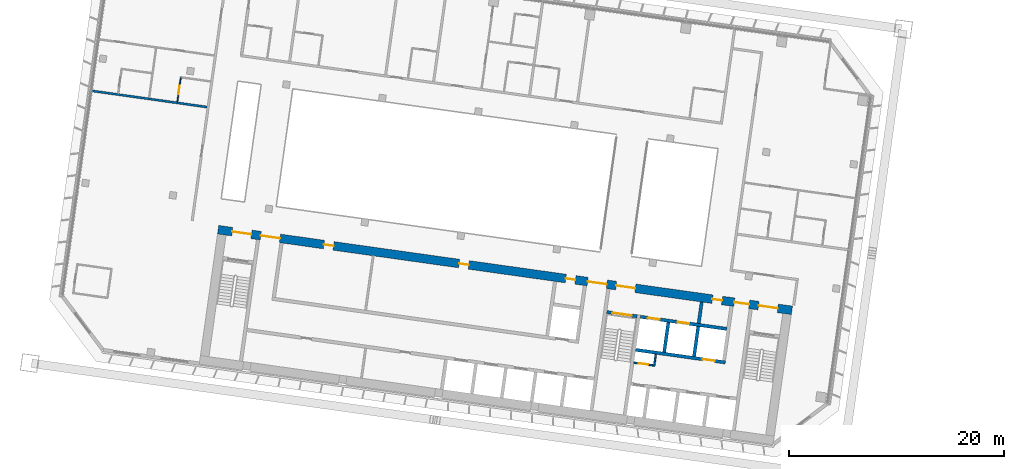
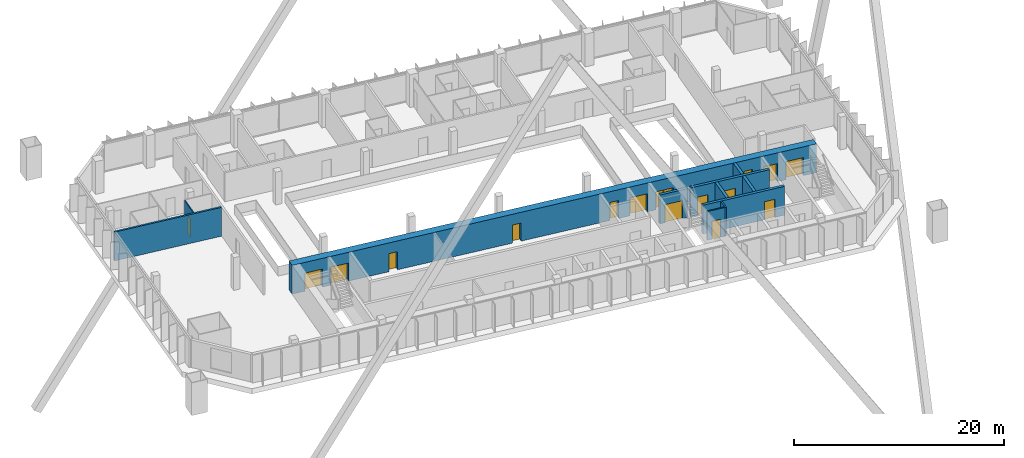
# One storey, part 31 of 41: 16 doors, 11 walls, 16 openings.
"""IFC4 building model written with IfcOpenShell, lengths in metres."""

import ifcopenshell
import ifcopenshell.guid

model = None  # the IFC model being written
_history = None  # IfcOwnerHistory: only IFC2X3 demands one
_inside = {}  # id of a spatial element -> (the spatial element, [elements in it])
_under = {}  # id of a project, library or spatial element -> (it, [spatial elements below it])
_declared = {}  # id of a project -> (the project, [libraries it declares])
_typed = {}  # id of a type object -> (the type object, [elements of that type])
_made_of = {}  # id of a material, layer set ... -> (it, [elements and type objects made of it])


def new_model(schema):
    """Start an empty IFC model of exactly this schema.

    Asked for "IFC4X3", IfcOpenShell would pick the latest addendum, in which some entities
    have other attributes; the version numbers below select the first issue.
    IFC2X3 requires an IfcOwnerHistory on every rooted entity: one is made here for all.
    """
    global model, _history
    if schema == "IFC4X3":
        model = ifcopenshell.file(schema_version=(4, 3, 0, 0))
    else:
        model = ifcopenshell.file(schema=schema)
    _inside.clear()
    _under.clear()
    _declared.clear()
    _typed.clear()
    _made_of.clear()
    _history = None
    if model.schema == "IFC2X3":
        org = make("IfcOrganization", Name="unknown")
        user = make(
            "IfcPersonAndOrganization",
            ThePerson=make("IfcPerson", FamilyName="unknown"),
            TheOrganization=org,
        )
        app = make(
            "IfcApplication",
            ApplicationDeveloper=org,
            Version="unknown",
            ApplicationFullName="unknown",
            ApplicationIdentifier="unknown",
        )
        _history = make(
            "IfcOwnerHistory",
            OwningUser=user,
            OwningApplication=app,
            ChangeAction="ADDED",
            CreationDate=0,
        )
    return model


def make(cls, **values):
    """One entity of the class cls with the attributes given. An attribute that is None is left unset."""
    return model.create_entity(
        cls, **{name: value for name, value in values.items() if value is not None}
    )


def rooted(cls, **values):
    """An entity with a GlobalId (a new one), such as an element, a storey or a relation."""
    return make(cls, GlobalId=ifcopenshell.guid.new(), OwnerHistory=_history, **values)


def si_unit(unit_type, name, prefix=None):
    """IfcSIUnit, for example si_unit("LENGTHUNIT", "METRE", prefix="MILLI")."""
    return make("IfcSIUnit", UnitType=unit_type, Prefix=prefix, Name=name)


def assignment(units):
    """IfcUnitAssignment: the units of a project."""
    return None if units is None else make("IfcUnitAssignment", Units=units)


def point(xyz):
    """IfcCartesianPoint."""
    return None if xyz is None else make("IfcCartesianPoint", Coordinates=xyz)


def direction(xyz):
    """IfcDirection."""
    return None if xyz is None else make("IfcDirection", DirectionRatios=xyz)


def frame(location, z_axis=None, x_axis=None):
    """IfcAxis2Placement3D, a coordinate frame: its origin and axes. An axis left out is left unset."""
    return make(
        "IfcAxis2Placement3D",
        Location=point(location),
        Axis=direction(z_axis),
        RefDirection=direction(x_axis),
    )


def frame_2d(location, x_axis=None):
    """IfcAxis2Placement2D, a coordinate frame in the plane: its origin and x axis."""
    return make(
        "IfcAxis2Placement2D", Location=point(location), RefDirection=direction(x_axis)
    )


def origin():
    """The frame at (0, 0, 0) with its axes left unset."""
    return frame((0.0, 0.0, 0.0))


def place(relative_to, where):
    """IfcLocalPlacement: puts the frame where relative to a parent placement (None: the world)."""
    return make(
        "IfcLocalPlacement", PlacementRelTo=relative_to, RelativePlacement=where
    )


def context(
    kind, dimensions, precision=None, world=None, true_north=None, identifier=None
):
    """IfcGeometricRepresentationContext, for example the 3D "Model" context."""
    return make(
        "IfcGeometricRepresentationContext",
        ContextIdentifier=identifier,
        ContextType=kind,
        CoordinateSpaceDimension=dimensions,
        Precision=precision,
        WorldCoordinateSystem=world,
        TrueNorth=true_north,
    )


def subcontext(parent, identifier, kind, view, scale=None):
    """IfcGeometricRepresentationSubContext, for example "Body" below "Model"."""
    return make(
        "IfcGeometricRepresentationSubContext",
        ContextIdentifier=identifier,
        ContextType=kind,
        ParentContext=parent,
        TargetScale=scale,
        TargetView=view,
    )


def project(units=None, contexts=None):
    """IfcProject with its units and contexts."""
    return rooted(
        "IfcProject",
        Name="project",
        RepresentationContexts=contexts,
        UnitsInContext=assignment(units),
    )


def spatial(cls, under=None, at=None, **own):
    """A site, building, storey or space (cls), placed at a placement, below another one or the project."""
    s = rooted(cls, ObjectPlacement=at, **own)
    if under is not None:
        _under.setdefault(under.id(), (under, []))[1].append(s)
    return s


def profile(cls, at=None, kind="AREA", **sizes):
    """A parametric profile (cls). Its sizes go by their IFC names, for example OverallWidth=200.0."""
    return make(cls, ProfileType=kind, Position=at, **sizes)


def rectangle(**sizes):
    """IfcRectangleProfileDef."""
    return profile("IfcRectangleProfileDef", **sizes)


def extrude(swept, where, along, depth):
    """IfcExtrudedAreaSolid: the profile swept, set in the frame where, extruded along a direction by depth."""
    return make(
        "IfcExtrudedAreaSolid",
        SweptArea=swept,
        Position=where,
        ExtrudedDirection=direction(along),
        Depth=depth,
    )


def shape(context_of_items, identifier, shape_type, items):
    """IfcShapeRepresentation: the items that make up one representation, for example the "Body"."""
    return make(
        "IfcShapeRepresentation",
        ContextOfItems=context_of_items,
        RepresentationIdentifier=identifier,
        RepresentationType=shape_type,
        Items=items,
    )


def material(Name=None, Category=None):
    """IfcMaterial."""
    return make("IfcMaterial", Name=Name, Category=Category)


def layer(
    of_material, thickness, ventilated=None, Name=None, Category=None, Priority=None
):
    """IfcMaterialLayer: one layer of a wall or slab, of a material (None: an air gap)."""
    return make(
        "IfcMaterialLayer",
        Material=of_material,
        LayerThickness=thickness,
        IsVentilated=ventilated,
        Name=Name,
        Category=Category,
        Priority=Priority,
    )


def layer_set(layers, Name=None):
    """IfcMaterialLayerSet."""
    return make("IfcMaterialLayerSet", MaterialLayers=layers, LayerSetName=Name)


def made_of(thing, what):
    """Note that an element or type object is made of a material, layer set ...; save() writes the relation."""
    if what is not None:
        _made_of.setdefault(what.id(), (what, []))[1].append(thing)
    return thing


def type_object(cls, material=None, **own):
    """A type object (cls), such as IfcWallType, which elements share."""
    return made_of(rooted(cls, **own), material)


def element(
    cls,
    number,
    at=None,
    inside=None,
    cuts=None,
    type_object=None,
    material=None,
    context=None,
    identifier="Body",
    shape_type=None,
    held_by="IfcProductDefinitionShape",
    body=None,
    shapes=None,
    **own,
):
    """One element of the class cls, such as IfcWall. Its Tag is "e" and its number.

    at: its placement. inside: the storey or other place that contains it. cuts: it is an
    opening in that element (IfcRelVoidsElement). A single representation is given by context,
    identifier, shape_type and body (its items); several are given by shapes. held_by: the class
    of the entity that holds the representations. save() writes the other relations.
    """
    e = rooted(cls, Tag="e%d" % number, ObjectPlacement=at, **own)
    if body is not None:
        shapes = [shape(context, identifier, shape_type, body)]
    if shapes is not None:
        e.Representation = make(held_by, Representations=shapes)
    if inside is not None:
        _inside.setdefault(inside.id(), (inside, []))[1].append(e)
    if cuts is not None:
        rooted(
            "IfcRelVoidsElement", RelatingBuildingElement=cuts, RelatedOpeningElement=e
        )
    if type_object is not None:
        _typed.setdefault(type_object.id(), (type_object, []))[1].append(e)
    return made_of(e, material)


def fill(opening, filler):
    """IfcRelFillsElement: the door or window that sits in an opening."""
    return rooted(
        "IfcRelFillsElement",
        RelatingOpeningElement=opening,
        RelatedBuildingElement=filler,
    )


def aggregate(whole, parts):
    """IfcRelAggregates: a whole, such as a stair, and the parts it consists of."""
    return rooted("IfcRelAggregates", RelatingObject=whole, RelatedObjects=parts)


def save(model, path):
    """Write the relations noted so far, then the file.

    IfcRelAggregates (storeys below a building ...), IfcRelContainedInSpatialStructure (elements
    in a storey), IfcRelDefinesByType, IfcRelAssociatesMaterial and IfcRelDeclares: one each for
    every whole, place, type object, material and project.
    """
    for whole, parts in _under.values():
        aggregate(whole, parts)
    for where, things in _inside.values():
        rooted(
            "IfcRelContainedInSpatialStructure",
            RelatedElements=things,
            RelatingStructure=where,
        )
    for kind, things in _typed.values():
        rooted("IfcRelDefinesByType", RelatedObjects=things, RelatingType=kind)
    for what, things in _made_of.values():
        rooted("IfcRelAssociatesMaterial", RelatedObjects=things, RelatingMaterial=what)
    for by, libraries in _declared.values():
        rooted("IfcRelDeclares", RelatingContext=by, RelatedDefinitions=libraries)
    model.write(path)


model = new_model("IFC4")

# Units and contexts
model_context = context("Model", 3, precision=1e-05, world=origin(), true_north=direction((0.0, 1.0)))
body_context = subcontext(model_context, "Body", "Model", "MODEL_VIEW")
ifc_project = project(units=[si_unit("LENGTHUNIT", "METRE"), si_unit("AREAUNIT", "SQUARE_METRE"), si_unit("VOLUMEUNIT", "CUBIC_METRE"), si_unit("PLANEANGLEUNIT", "RADIAN"), si_unit("MASSUNIT", "GRAM", prefix="KILO")], contexts=[model_context])

# Site, building, storey
site_placement = place(None, origin())
site = spatial("IfcSite", under=ifc_project, at=site_placement, CompositionType="ELEMENT")
building_placement = place(site_placement, origin())
building = spatial("IfcBuilding", under=site, at=building_placement, Name="Mirante Cascada Hotel Towers", CompositionType="ELEMENT")
storey_placement = place(building_placement, frame((0.0, 0.0, 125.3)))
storey = spatial("IfcBuildingStorey", under=building, at=storey_placement, Name="L28", CompositionType="ELEMENT", Elevation=125.3)

# Walls
ifc_material_1 = material(Name="Fire-rated plasterboard on metal studs")
ifc_layer_1 = layer(ifc_material_1, 0.2)
ifc_layer_set_1 = layer_set([ifc_layer_1], Name="Compartment wall 200 EI 120")
wall_type_1 = type_object("IfcWallType", Name="Compartment wall 200 EI 120", PredefinedType="PARTITIONING", material=ifc_layer_set_1)
wall_1_placement = place(storey_placement, frame((-100.6266, 12.8067, 0.0), z_axis=(0.0, 0.0, 1.0), x_axis=(0.990268, -0.1391733, 0.0)))
element("IfcWall", 1, at=wall_1_placement, inside=storey, type_object=wall_type_1, Name="Wall 1-L28-08", PredefinedType="PARTITIONING", context=body_context, shape_type="SweptSolid", body=[
    extrude(rectangle(XDim=11.0, YDim=0.2, at=frame_2d((5.5, 0.0))), origin(), (0.0, 0.0, 1.0), 3.35),
])
ifc_material_2 = material(Name="Masonry block", Category="masonry")
ifc_layer_2 = layer(ifc_material_2, 0.15)
ifc_layer_set_2 = layer_set([ifc_layer_2], Name="Core room partition 150 block EI 30")
wall_type_2 = type_object("IfcWallType", Name="Core room partition 150 block EI 30", PredefinedType="PARTITIONING", material=ifc_layer_set_2)
wall_2_placement = place(storey_placement, frame((-48.2295, -12.793, 0.0), z_axis=(0.0, 0.0, 1.0), x_axis=(0.1391935, 0.9902652, 0.0)))
element("IfcWall", 2, at=wall_2_placement, inside=storey, type_object=wall_type_2, Name="Core wall partition T1 L28 2", PredefinedType="PARTITIONING", context=body_context, shape_type="SweptSolid", body=[
    extrude(rectangle(XDim=1.1251, YDim=0.15, at=frame_2d((0.5626, 0.0))), origin(), (0.0, 0.0, 1.0), 3.35),
])

# Wall, opening, door
wall_3_placement = place(storey_placement, frame((-48.2933, -12.7083, 0.0), z_axis=(0.0, 0.0, 1.0), x_axis=(-0.990268, 0.1391734, 0.0)))
wall_3 = element("IfcWall", 3, at=wall_3_placement, inside=storey, type_object=wall_type_2, Name="Core wall partition T1 L28 3", PredefinedType="PARTITIONING", context=body_context, shape_type="SweptSolid", body=[
    extrude(rectangle(XDim=1.8251, YDim=0.15, at=frame_2d((0.9126, 0.0))), origin(), (0.0, 0.0, 1.0), 3.35),
])
opening_1_placement = place(wall_3_placement, frame((0.4625, 0.0, 0.0)))
opening_1 = element("IfcOpeningElement", 4, at=opening_1_placement, cuts=wall_3, Name="Opening D1-28-C23", PredefinedType="OPENING", context=body_context, shape_type="SweptSolid", body=[
    extrude(rectangle(XDim=0.9, YDim=2.1, at=frame_2d((0.45, 1.05))), frame((0.0, 0.075, 0.0), z_axis=(0.0, -1.0, 0.0), x_axis=(1.0, 0.0, 0.0)), (0.0, 0.0, 1.0), 0.15),
])
ifc_material_3 = material(Name="Hollow metal fire door leaf")
door_type_1 = type_object("IfcDoorType", Name="Fire door 900x2100 FD60", OperationType="NOTDEFINED", PredefinedType="DOOR", material=ifc_material_3)
door_1_placement = place(opening_1_placement, origin())
door_1 = element("IfcDoor", 5, at=door_1_placement, inside=storey, type_object=door_type_1, Name="Riser door T1 L28 23", OperationType="SINGLE_SWING_LEFT", OverallHeight=2.1, OverallWidth=0.9, PredefinedType="DOOR", context=body_context, shape_type="SweptSolid", body=[
    extrude(rectangle(XDim=0.9, YDim=2.1, at=frame_2d((0.45, 1.05))), frame((0.0, 0.025, 0.0), z_axis=(0.0, -1.0, 0.0), x_axis=(1.0, 0.0, 0.0)), (0.0, 0.0, 1.0), 0.05),
])
fill(opening_1, door_1)

# Wall
ifc_material_4 = material(Name="Masonry block", Category="masonry")
ifc_layer_3 = layer(ifc_material_4, 0.3)
ifc_layer_set_3 = layer_set([ifc_layer_3], Name="Core wall 300 block EI 120")
wall_type_3 = type_object("IfcWallType", Name="Core wall 300 block EI 120", PredefinedType="PARTITIONING", material=ifc_layer_set_3)
wall_4_placement = place(storey_placement, frame((-44.0843, -8.8061, 0.0), z_axis=(0.0, 0.0, 1.0), x_axis=(0.1391951, 0.990265, 0.0)))
element("IfcWall", 6, at=wall_4_placement, inside=storey, type_object=wall_type_3, Name="Core wall partition T1 L28 1", PredefinedType="PARTITIONING", context=body_context, shape_type="SweptSolid", body=[
    extrude(rectangle(XDim=2.0001, YDim=0.3, at=frame_2d((1.0001, 0.0))), origin(), (0.0, 0.0, 1.0), 3.35),
])

# Wall, opening, door
ifc_material_5 = material(Name="Plasterboard on metal studs")
ifc_layer_4 = layer(ifc_material_5, 0.1)
ifc_layer_set_4 = layer_set([ifc_layer_4], Name="Partition 100")
wall_type_4 = type_object("IfcWallType", Name="Partition 100", PredefinedType="PARTITIONING", material=ifc_layer_set_4)
wall_5_placement = place(storey_placement, frame((-92.4925, 11.7645, 0.0), z_axis=(0.0, 0.0, 1.0), x_axis=(0.1391561, 0.9902705, 0.0)))
wall_5 = element("IfcWall", 7, at=wall_5_placement, inside=storey, type_object=wall_type_4, Name="Wall 1-L28-45", PredefinedType="PARTITIONING", context=body_context, shape_type="SweptSolid", body=[
    extrude(rectangle(XDim=2.25, YDim=0.1, at=frame_2d((1.125, 0.0))), origin(), (0.0, 0.0, 1.0), 3.35),
])
opening_2_placement = place(wall_5_placement, frame((0.7, 0.0, 0.0)))
opening_2 = element("IfcOpeningElement", 8, at=opening_2_placement, cuts=wall_5, Name="Opening D1-L28-27", PredefinedType="OPENING", context=body_context, shape_type="SweptSolid", body=[
    extrude(rectangle(XDim=0.8, YDim=2.1, at=frame_2d((0.4, 1.05))), frame((0.0, 0.05, 0.0), z_axis=(0.0, -1.0, 0.0), x_axis=(1.0, 0.0, 0.0)), (0.0, 0.0, 1.0), 0.1),
])
ifc_material_6 = material(Name="Timber door leaf", Category="wood")
door_type_2 = type_object("IfcDoorType", Name="Bathroom door DG4 800x2100", OperationType="SINGLE_SWING_LEFT", PredefinedType="DOOR", material=ifc_material_6)
door_2_placement = place(opening_2_placement, frame((0.8, 0.0, 0.0), z_axis=(0.0, 0.0, 1.0), x_axis=(-1.0, 0.0, 0.0)))
door_2 = element("IfcDoor", 9, at=door_2_placement, inside=storey, type_object=door_type_2, Name="Door D1-L28-27", OperationType="SINGLE_SWING_RIGHT", OverallHeight=2.1, OverallWidth=0.8, PredefinedType="DOOR", context=body_context, shape_type="SweptSolid", body=[
    extrude(rectangle(XDim=0.8, YDim=2.1, at=frame_2d((0.4, 1.05))), frame((0.0, 0.025, 0.0), z_axis=(0.0, -1.0, 0.0), x_axis=(1.0, 0.0, 0.0)), (0.0, 0.0, 1.0), 0.05),
])
fill(opening_2, door_2)

ifc_material_7 = material(Name="Concrete C50/60", Category="concrete")
ifc_layer_5 = layer(ifc_material_7, 0.3)
ifc_layer_set_5 = layer_set([ifc_layer_5], Name="RC core wall 300 C50/60")
wall_type_5 = type_object("IfcWallType", Name="RC core wall 300 C50/60", PredefinedType="SHEAR", material=ifc_layer_set_5)
wall_6_placement = place(storey_placement, frame((-49.7992, -8.1544, 0.0), z_axis=(0.0, 0.0, 1.0), x_axis=(-0.9902656, 0.1391909, 0.0)))
wall_6 = element("IfcWall", 10, at=wall_6_placement, inside=storey, type_object=wall_type_5, Name="Core wall T1:L28:10", PredefinedType="SHEAR", context=body_context, shape_type="SweptSolid", body=[
    extrude(rectangle(XDim=2.85, YDim=0.3, at=frame_2d((1.425, 0.0))), origin(), (0.0, 0.0, 1.0), 3.35),
])
opening_3_placement = place(wall_6_placement, frame((0.525, 0.0, 0.0)))
opening_3 = element("IfcOpeningElement", 11, at=opening_3_placement, cuts=wall_6, Name="Opening D1-28-C15", PredefinedType="OPENING", context=body_context, shape_type="SweptSolid", body=[
    extrude(rectangle(XDim=1.8, YDim=2.1, at=frame_2d((0.9, 1.05))), frame((0.0, 0.15, 0.0), z_axis=(0.0, -1.0, 0.0), x_axis=(1.0, 0.0, 0.0)), (0.0, 0.0, 1.0), 0.3),
])
ifc_material_8 = material(Name="Hollow metal fire door leaf")
door_type_3 = type_object("IfcDoorType", Name="Double fire door 1800x2100 FD60", OperationType="DOUBLE_DOOR_SINGLE_SWING", PredefinedType="DOOR", material=ifc_material_8)
door_3_placement = place(opening_3_placement, origin())
door_3 = element("IfcDoor", 12, at=door_3_placement, inside=storey, type_object=door_type_3, Name="Stair door T1 L28 15", OperationType="DOUBLE_DOOR_SINGLE_SWING", OverallHeight=2.1, OverallWidth=1.8, PredefinedType="DOOR", context=body_context, shape_type="SweptSolid", body=[
    extrude(rectangle(XDim=0.895, YDim=2.1, at=frame_2d((0.4475, 1.05))), frame((0.0, 0.025, 0.0), z_axis=(0.0, -1.0, 0.0), x_axis=(1.0, 0.0, 0.0)), (0.0, 0.0, 1.0), 0.05),
    extrude(rectangle(XDim=0.895, YDim=2.1, at=frame_2d((1.3525, 1.05))), frame((0.0, 0.025, 0.0), z_axis=(0.0, -1.0, 0.0), x_axis=(1.0, 0.0, 0.0)), (0.0, 0.0, 1.0), 0.05),
])
fill(opening_3, door_3)

wall_7_placement = place(storey_placement, frame((-41.6153, -12.435, 0.0), z_axis=(0.0, 0.0, 1.0), x_axis=(-0.9902691, 0.139166, 0.0)))
wall_7 = element("IfcWall", 13, at=wall_7_placement, inside=storey, type_object=wall_type_5, Name="Core wall T1:L28:13", PredefinedType="SHEAR", context=body_context, shape_type="SweptSolid", body=[
    extrude(rectangle(XDim=8.4, YDim=0.3, at=frame_2d((4.2, 0.0))), origin(), (0.0, 0.0, 1.0), 3.35),
])
opening_4_placement = place(wall_7_placement, frame((1.0, 0.0, 0.0)))
opening_4 = element("IfcOpeningElement", 14, at=opening_4_placement, cuts=wall_7, Name="Opening LD", PredefinedType="OPENING", context=body_context, shape_type="SweptSolid", body=[
    extrude(rectangle(XDim=1.1, YDim=2.1, at=frame_2d((0.55, 1.05))), frame((0.0, 0.15, 0.0), z_axis=(0.0, -1.0, 0.0), x_axis=(1.0, 0.0, 0.0)), (0.0, 0.0, 1.0), 0.3),
])
ifc_material_9 = material(Name="Stainless steel", Category="steel")
door_type_4 = type_object("IfcDoorType", Name="Lift landing door 1100x2100 EI 120", OperationType="DOUBLE_DOOR_SLIDING", PredefinedType="DOOR", material=ifc_material_9)
door_4_placement = place(opening_4_placement, origin())
door_4 = element("IfcDoor", 15, at=door_4_placement, inside=storey, type_object=door_type_4, Name="Lift landing door HR1-4 L28", OperationType="DOUBLE_DOOR_SLIDING", OverallHeight=2.1, OverallWidth=1.1, PredefinedType="DOOR", context=body_context, shape_type="SweptSolid", body=[
    extrude(rectangle(XDim=0.545, YDim=2.1, at=frame_2d((0.2725, 1.05))), frame((0.0, 0.025, 0.0), z_axis=(0.0, -1.0, 0.0), x_axis=(1.0, 0.0, 0.0)), (0.0, 0.0, 1.0), 0.05),
    extrude(rectangle(XDim=0.545, YDim=2.1, at=frame_2d((0.8275, 1.05))), frame((0.0, 0.025, 0.0), z_axis=(0.0, -1.0, 0.0), x_axis=(1.0, 0.0, 0.0)), (0.0, 0.0, 1.0), 0.05),
])
fill(opening_4, door_4)

# Wall, openings, doors
wall_8_placement = place(storey_placement, frame((-41.481, -9.3234, 0.0), z_axis=(0.0, 0.0, 1.0), x_axis=(-0.9902679, 0.1391741, 0.0)))
wall_8 = element("IfcWall", 16, at=wall_8_placement, inside=storey, type_object=wall_type_5, Name="Core wall T1:L28:14", PredefinedType="SHEAR", context=body_context, shape_type="SweptSolid", body=[
    extrude(rectangle(XDim=8.0999, YDim=0.3, at=frame_2d((4.05, 0.0))), origin(), (0.0, 0.0, 1.0), 3.35),
])
opening_5_placement = place(wall_8_placement, frame((3.5, 0.0, 0.0)))
opening_5 = element("IfcOpeningElement", 17, at=opening_5_placement, cuts=wall_8, Name="Opening LD", PredefinedType="OPENING", context=body_context, shape_type="SweptSolid", body=[
    extrude(rectangle(XDim=1.1, YDim=2.1, at=frame_2d((0.55, 1.05))), frame((0.0, 0.15, 0.0), z_axis=(0.0, -1.0, 0.0), x_axis=(1.0, 0.0, 0.0)), (0.0, 0.0, 1.0), 0.3),
])
opening_6_placement = place(wall_8_placement, frame((6.3, 0.0, 0.0)))
opening_6 = element("IfcOpeningElement", 18, at=opening_6_placement, cuts=wall_8, Name="Opening LD", PredefinedType="OPENING", context=body_context, shape_type="SweptSolid", body=[
    extrude(rectangle(XDim=1.1, YDim=2.1, at=frame_2d((0.55, 1.05))), frame((0.0, 0.15, 0.0), z_axis=(0.0, -1.0, 0.0), x_axis=(1.0, 0.0, 0.0)), (0.0, 0.0, 1.0), 0.3),
])
door_5_placement = place(opening_5_placement, origin())
door_5 = element("IfcDoor", 19, at=door_5_placement, inside=storey, type_object=door_type_4, Name="Lift landing door FF1 L28", OperationType="DOUBLE_DOOR_SLIDING", OverallHeight=2.1, OverallWidth=1.1, PredefinedType="DOOR", context=body_context, shape_type="SweptSolid", body=[
    extrude(rectangle(XDim=0.545, YDim=2.1, at=frame_2d((0.2725, 1.05))), frame((0.0, 0.025, 0.0), z_axis=(0.0, -1.0, 0.0), x_axis=(1.0, 0.0, 0.0)), (0.0, 0.0, 1.0), 0.05),
    extrude(rectangle(XDim=0.545, YDim=2.1, at=frame_2d((0.8275, 1.05))), frame((0.0, 0.025, 0.0), z_axis=(0.0, -1.0, 0.0), x_axis=(1.0, 0.0, 0.0)), (0.0, 0.0, 1.0), 0.05),
])
fill(opening_5, door_5)
door_6_placement = place(opening_6_placement, origin())
door_6 = element("IfcDoor", 20, at=door_6_placement, inside=storey, type_object=door_type_4, Name="Lift landing door FF2 L28", OperationType="DOUBLE_DOOR_SLIDING", OverallHeight=2.1, OverallWidth=1.1, PredefinedType="DOOR", context=body_context, shape_type="SweptSolid", body=[
    extrude(rectangle(XDim=0.545, YDim=2.1, at=frame_2d((0.2725, 1.05))), frame((0.0, 0.025, 0.0), z_axis=(0.0, -1.0, 0.0), x_axis=(1.0, 0.0, 0.0)), (0.0, 0.0, 1.0), 0.05),
    extrude(rectangle(XDim=0.545, YDim=2.1, at=frame_2d((0.8275, 1.05))), frame((0.0, 0.025, 0.0), z_axis=(0.0, -1.0, 0.0), x_axis=(1.0, 0.0, 0.0)), (0.0, 0.0, 1.0), 0.05),
])
fill(opening_6, door_6)

# Walls
for number, where, z_axis, x_axis, name in (
    (21, (-44.5157, -11.8759, 0.0), (0.0, 0.0, 1.0), (0.139181, 0.990267, 0.0), "Core wall T1:L28:18"),
    (22, (-47.2885, -11.4862, 0.0), (0.0, 0.0, 1.0), (0.139181, 0.990267, 0.0), "Core wall T1:L28:19"),
):
    element("IfcWall", number, at=place(storey_placement, frame(where, z_axis=z_axis, x_axis=x_axis)), inside=storey, type_object=wall_type_5, Name=name, PredefinedType="SHEAR", context=body_context, shape_type="SweptSolid", body=[
        extrude(rectangle(XDim=2.8, YDim=0.3, at=frame_2d((1.4, 0.0))), origin(), (0.0, 0.0, 1.0), 3.35),
    ])

# Wall, openings, doors
ifc_material_10 = material(Name="Concrete C50/60", Category="concrete")
ifc_layer_6 = layer(ifc_material_10, 0.8)
ifc_layer_set_6 = layer_set([ifc_layer_6], Name="RC core wall 800 C50/60")
wall_type_6 = type_object("IfcWallType", Name="RC core wall 800 C50/60", PredefinedType="SHEAR", material=ifc_layer_set_6)
wall_9_placement = place(storey_placement, frame((-35.432, -7.5985, 0.0), z_axis=(0.0, 0.0, 1.0), x_axis=(-0.9902681, 0.1391729, 0.0)))
wall_9 = element("IfcWall", 23, at=wall_9_placement, inside=storey, type_object=wall_type_6, Name="Core wall T1:L28:2", PredefinedType="SHEAR", context=body_context, shape_type="SweptSolid", body=[
    extrude(rectangle(XDim=53.8, YDim=0.8, at=frame_2d((26.9, 0.0))), origin(), (0.0, 0.0, 1.0), 3.35),
])
opening_7_placement = place(wall_9_placement, frame((1.325, 0.0, 0.0)))
opening_7 = element("IfcOpeningElement", 24, at=opening_7_placement, cuts=wall_9, Name="Opening D1-28-C14", PredefinedType="OPENING", context=body_context, shape_type="SweptSolid", body=[
    extrude(rectangle(XDim=1.8, YDim=2.1, at=frame_2d((0.9, 1.05))), frame((0.0, 0.4, 0.0), z_axis=(0.0, -1.0, 0.0), x_axis=(1.0, 0.0, 0.0)), (0.0, 0.0, 1.0), 0.8),
])
opening_8_placement = place(wall_9_placement, frame((14.675, 0.0, 0.0)))
opening_8 = element("IfcOpeningElement", 25, at=opening_8_placement, cuts=wall_9, Name="Opening D1-28-C16", PredefinedType="OPENING", context=body_context, shape_type="SweptSolid", body=[
    extrude(rectangle(XDim=1.8, YDim=2.1, at=frame_2d((0.9, 1.05))), frame((0.0, 0.4, 0.0), z_axis=(0.0, -1.0, 0.0), x_axis=(1.0, 0.0, 0.0)), (0.0, 0.0, 1.0), 0.8),
])
opening_9_placement = place(wall_9_placement, frame((50.675, 0.0, 0.0)))
opening_9 = element("IfcOpeningElement", 26, at=opening_9_placement, cuts=wall_9, Name="Opening D1-28-C18", PredefinedType="OPENING", context=body_context, shape_type="SweptSolid", body=[
    extrude(rectangle(XDim=1.8, YDim=2.1, at=frame_2d((0.9, 1.05))), frame((0.0, 0.4, 0.0), z_axis=(0.0, -1.0, 0.0), x_axis=(1.0, 0.0, 0.0)), (0.0, 0.0, 1.0), 0.8),
])
opening_10_placement = place(wall_9_placement, frame((4.0, 0.0, 0.0)))
opening_10 = element("IfcOpeningElement", 27, at=opening_10_placement, cuts=wall_9, Name="Opening D1-28-C19", PredefinedType="OPENING", context=body_context, shape_type="SweptSolid", body=[
    extrude(rectangle(XDim=1.4, YDim=2.1, at=frame_2d((0.7, 1.05))), frame((0.0, 0.4, 0.0), z_axis=(0.0, -1.0, 0.0), x_axis=(1.0, 0.0, 0.0)), (0.0, 0.0, 1.0), 0.8),
])
opening_11_placement = place(wall_9_placement, frame((17.35, 0.0, 0.0)))
opening_11 = element("IfcOpeningElement", 28, at=opening_11_placement, cuts=wall_9, Name="Opening D1-28-C20", PredefinedType="OPENING", context=body_context, shape_type="SweptSolid", body=[
    extrude(rectangle(XDim=1.8, YDim=2.1, at=frame_2d((0.9, 1.05))), frame((0.0, 0.4, 0.0), z_axis=(0.0, -1.0, 0.0), x_axis=(1.0, 0.0, 0.0)), (0.0, 0.0, 1.0), 0.8),
])
opening_12_placement = place(wall_9_placement, frame((48.0, 0.0, 0.0)))
opening_12 = element("IfcOpeningElement", 29, at=opening_12_placement, cuts=wall_9, Name="Opening D1-28-C21", PredefinedType="OPENING", context=body_context, shape_type="SweptSolid", body=[
    extrude(rectangle(XDim=1.8, YDim=2.1, at=frame_2d((0.9, 1.05))), frame((0.0, 0.4, 0.0), z_axis=(0.0, -1.0, 0.0), x_axis=(1.0, 0.0, 0.0)), (0.0, 0.0, 1.0), 0.8),
])
opening_13_placement = place(wall_9_placement, frame((6.55, 0.0, 0.0)))
opening_13 = element("IfcOpeningElement", 30, at=opening_13_placement, cuts=wall_9, Name="Opening D1-28-C24", PredefinedType="OPENING", context=body_context, shape_type="SweptSolid", body=[
    extrude(rectangle(XDim=0.9, YDim=2.1, at=frame_2d((0.45, 1.05))), frame((0.0, 0.4, 0.0), z_axis=(0.0, -1.0, 0.0), x_axis=(1.0, 0.0, 0.0)), (0.0, 0.0, 1.0), 0.8),
])
opening_14_placement = place(wall_9_placement, frame((20.3, 0.0, 0.0)))
opening_14 = element("IfcOpeningElement", 31, at=opening_14_placement, cuts=wall_9, Name="Opening D1-28-C27", PredefinedType="OPENING", context=body_context, shape_type="SweptSolid", body=[
    extrude(rectangle(XDim=0.9, YDim=2.1, at=frame_2d((0.45, 1.05))), frame((0.0, 0.4, 0.0), z_axis=(0.0, -1.0, 0.0), x_axis=(1.0, 0.0, 0.0)), (0.0, 0.0, 1.0), 0.8),
])
opening_15_placement = place(wall_9_placement, frame((30.3, 0.0, 0.0)))
opening_15 = element("IfcOpeningElement", 32, at=opening_15_placement, cuts=wall_9, Name="Opening D1-28-C28", PredefinedType="OPENING", context=body_context, shape_type="SweptSolid", body=[
    extrude(rectangle(XDim=0.9, YDim=2.1, at=frame_2d((0.45, 1.05))), frame((0.0, 0.4, 0.0), z_axis=(0.0, -1.0, 0.0), x_axis=(1.0, 0.0, 0.0)), (0.0, 0.0, 1.0), 0.8),
])
opening_16_placement = place(wall_9_placement, frame((42.975, 0.0, 0.0)))
opening_16 = element("IfcOpeningElement", 33, at=opening_16_placement, cuts=wall_9, Name="Opening D1-28-C29", PredefinedType="OPENING", context=body_context, shape_type="SweptSolid", body=[
    extrude(rectangle(XDim=0.9, YDim=2.1, at=frame_2d((0.45, 1.05))), frame((0.0, 0.4, 0.0), z_axis=(0.0, -1.0, 0.0), x_axis=(1.0, 0.0, 0.0)), (0.0, 0.0, 1.0), 0.8),
])
ifc_material_11 = material(Name="Hollow metal fire door leaf")
door_type_5 = type_object("IfcDoorType", Name="Double fire door 1400x2100 FD60", OperationType="DOUBLE_DOOR_SINGLE_SWING", PredefinedType="DOOR", material=ifc_material_11)
door_7_placement = place(opening_10_placement, frame((1.4, 0.0, 0.0), z_axis=(0.0, 0.0, 1.0), x_axis=(-1.0, 0.0, 0.0)))
door_7 = element("IfcDoor", 34, at=door_7_placement, inside=storey, type_object=door_type_5, Name="Exit door to gallery T1 L28 19", OperationType="DOUBLE_DOOR_SINGLE_SWING", OverallHeight=2.1, OverallWidth=1.4, PredefinedType="DOOR", context=body_context, shape_type="SweptSolid", body=[
    extrude(rectangle(XDim=0.695, YDim=2.1, at=frame_2d((0.3475, 1.05))), frame((0.0, 0.025, 0.0), z_axis=(0.0, -1.0, 0.0), x_axis=(1.0, 0.0, 0.0)), (0.0, 0.0, 1.0), 0.05),
    extrude(rectangle(XDim=0.695, YDim=2.1, at=frame_2d((1.0525, 1.05))), frame((0.0, 0.025, 0.0), z_axis=(0.0, -1.0, 0.0), x_axis=(1.0, 0.0, 0.0)), (0.0, 0.0, 1.0), 0.05),
])
fill(opening_10, door_7)
door_8_placement = place(opening_7_placement, origin())
door_8 = element("IfcDoor", 35, at=door_8_placement, inside=storey, type_object=door_type_3, Name="Exit door to gallery T1 L28 14", OperationType="DOUBLE_DOOR_SINGLE_SWING", OverallHeight=2.1, OverallWidth=1.8, PredefinedType="DOOR", context=body_context, shape_type="SweptSolid", body=[
    extrude(rectangle(XDim=0.895, YDim=2.1, at=frame_2d((0.4475, 1.05))), frame((0.0, 0.025, 0.0), z_axis=(0.0, -1.0, 0.0), x_axis=(1.0, 0.0, 0.0)), (0.0, 0.0, 1.0), 0.05),
    extrude(rectangle(XDim=0.895, YDim=2.1, at=frame_2d((1.3525, 1.05))), frame((0.0, 0.025, 0.0), z_axis=(0.0, -1.0, 0.0), x_axis=(1.0, 0.0, 0.0)), (0.0, 0.0, 1.0), 0.05),
])
fill(opening_7, door_8)
door_9_placement = place(opening_8_placement, origin())
door_9 = element("IfcDoor", 36, at=door_9_placement, inside=storey, type_object=door_type_3, Name="Exit door to gallery T1 L28 16", OperationType="DOUBLE_DOOR_SINGLE_SWING", OverallHeight=2.1, OverallWidth=1.8, PredefinedType="DOOR", context=body_context, shape_type="SweptSolid", body=[
    extrude(rectangle(XDim=0.895, YDim=2.1, at=frame_2d((0.4475, 1.05))), frame((0.0, 0.025, 0.0), z_axis=(0.0, -1.0, 0.0), x_axis=(1.0, 0.0, 0.0)), (0.0, 0.0, 1.0), 0.05),
    extrude(rectangle(XDim=0.895, YDim=2.1, at=frame_2d((1.3525, 1.05))), frame((0.0, 0.025, 0.0), z_axis=(0.0, -1.0, 0.0), x_axis=(1.0, 0.0, 0.0)), (0.0, 0.0, 1.0), 0.05),
])
fill(opening_8, door_9)
door_10_placement = place(opening_9_placement, origin())
door_10 = element("IfcDoor", 37, at=door_10_placement, inside=storey, type_object=door_type_3, Name="Exit door to gallery T1 L28 18", OperationType="DOUBLE_DOOR_SINGLE_SWING", OverallHeight=2.1, OverallWidth=1.8, PredefinedType="DOOR", context=body_context, shape_type="SweptSolid", body=[
    extrude(rectangle(XDim=0.895, YDim=2.1, at=frame_2d((0.4475, 1.05))), frame((0.0, 0.025, 0.0), z_axis=(0.0, -1.0, 0.0), x_axis=(1.0, 0.0, 0.0)), (0.0, 0.0, 1.0), 0.05),
    extrude(rectangle(XDim=0.895, YDim=2.1, at=frame_2d((1.3525, 1.05))), frame((0.0, 0.025, 0.0), z_axis=(0.0, -1.0, 0.0), x_axis=(1.0, 0.0, 0.0)), (0.0, 0.0, 1.0), 0.05),
])
fill(opening_9, door_10)
door_11_placement = place(opening_11_placement, frame((1.8, 0.0, 0.0), z_axis=(0.0, 0.0, 1.0), x_axis=(-1.0, 0.0, 0.0)))
door_11 = element("IfcDoor", 38, at=door_11_placement, inside=storey, type_object=door_type_3, Name="Exit door to gallery T1 L28 20", OperationType="DOUBLE_DOOR_SINGLE_SWING", OverallHeight=2.1, OverallWidth=1.8, PredefinedType="DOOR", context=body_context, shape_type="SweptSolid", body=[
    extrude(rectangle(XDim=0.895, YDim=2.1, at=frame_2d((0.4475, 1.05))), frame((0.0, 0.025, 0.0), z_axis=(0.0, -1.0, 0.0), x_axis=(1.0, 0.0, 0.0)), (0.0, 0.0, 1.0), 0.05),
    extrude(rectangle(XDim=0.895, YDim=2.1, at=frame_2d((1.3525, 1.05))), frame((0.0, 0.025, 0.0), z_axis=(0.0, -1.0, 0.0), x_axis=(1.0, 0.0, 0.0)), (0.0, 0.0, 1.0), 0.05),
])
fill(opening_11, door_11)
door_12_placement = place(opening_12_placement, frame((1.8, 0.0, 0.0), z_axis=(0.0, 0.0, 1.0), x_axis=(-1.0, 0.0, 0.0)))
door_12 = element("IfcDoor", 39, at=door_12_placement, inside=storey, type_object=door_type_3, Name="Exit door to gallery T1 L28 21", OperationType="DOUBLE_DOOR_SINGLE_SWING", OverallHeight=2.1, OverallWidth=1.8, PredefinedType="DOOR", context=body_context, shape_type="SweptSolid", body=[
    extrude(rectangle(XDim=0.895, YDim=2.1, at=frame_2d((0.4475, 1.05))), frame((0.0, 0.025, 0.0), z_axis=(0.0, -1.0, 0.0), x_axis=(1.0, 0.0, 0.0)), (0.0, 0.0, 1.0), 0.05),
    extrude(rectangle(XDim=0.895, YDim=2.1, at=frame_2d((1.3525, 1.05))), frame((0.0, 0.025, 0.0), z_axis=(0.0, -1.0, 0.0), x_axis=(1.0, 0.0, 0.0)), (0.0, 0.0, 1.0), 0.05),
])
fill(opening_12, door_12)
door_13_placement = place(opening_13_placement, origin())
door_13 = element("IfcDoor", 40, at=door_13_placement, inside=storey, type_object=door_type_1, Name="Room door T1 L28 24", OperationType="SINGLE_SWING_RIGHT", OverallHeight=2.1, OverallWidth=0.9, PredefinedType="DOOR", context=body_context, shape_type="SweptSolid", body=[
    extrude(rectangle(XDim=0.9, YDim=2.1, at=frame_2d((0.45, 1.05))), frame((0.0, 0.025, 0.0), z_axis=(0.0, -1.0, 0.0), x_axis=(1.0, 0.0, 0.0)), (0.0, 0.0, 1.0), 0.05),
])
fill(opening_13, door_13)
door_14_placement = place(opening_14_placement, origin())
door_14 = element("IfcDoor", 41, at=door_14_placement, inside=storey, type_object=door_type_1, Name="Room door T1 L28 27", OperationType="SINGLE_SWING_RIGHT", OverallHeight=2.1, OverallWidth=0.9, PredefinedType="DOOR", context=body_context, shape_type="SweptSolid", body=[
    extrude(rectangle(XDim=0.9, YDim=2.1, at=frame_2d((0.45, 1.05))), frame((0.0, 0.025, 0.0), z_axis=(0.0, -1.0, 0.0), x_axis=(1.0, 0.0, 0.0)), (0.0, 0.0, 1.0), 0.05),
])
fill(opening_14, door_14)
door_15_placement = place(opening_15_placement, origin())
door_15 = element("IfcDoor", 42, at=door_15_placement, inside=storey, type_object=door_type_1, Name="Room door T1 L28 28", OperationType="SINGLE_SWING_LEFT", OverallHeight=2.1, OverallWidth=0.9, PredefinedType="DOOR", context=body_context, shape_type="SweptSolid", body=[
    extrude(rectangle(XDim=0.9, YDim=2.1, at=frame_2d((0.45, 1.05))), frame((0.0, 0.025, 0.0), z_axis=(0.0, -1.0, 0.0), x_axis=(1.0, 0.0, 0.0)), (0.0, 0.0, 1.0), 0.05),
])
fill(opening_15, door_15)
door_16_placement = place(opening_16_placement, origin())
door_16 = element("IfcDoor", 43, at=door_16_placement, inside=storey, type_object=door_type_1, Name="Room door T1 L28 29", OperationType="SINGLE_SWING_LEFT", OverallHeight=2.1, OverallWidth=0.9, PredefinedType="DOOR", context=body_context, shape_type="SweptSolid", body=[
    extrude(rectangle(XDim=0.9, YDim=2.1, at=frame_2d((0.45, 1.05))), frame((0.0, 0.025, 0.0), z_axis=(0.0, -1.0, 0.0), x_axis=(1.0, 0.0, 0.0)), (0.0, 0.0, 1.0), 0.05),
])
fill(opening_16, door_16)

save(model, "model.ifc")
